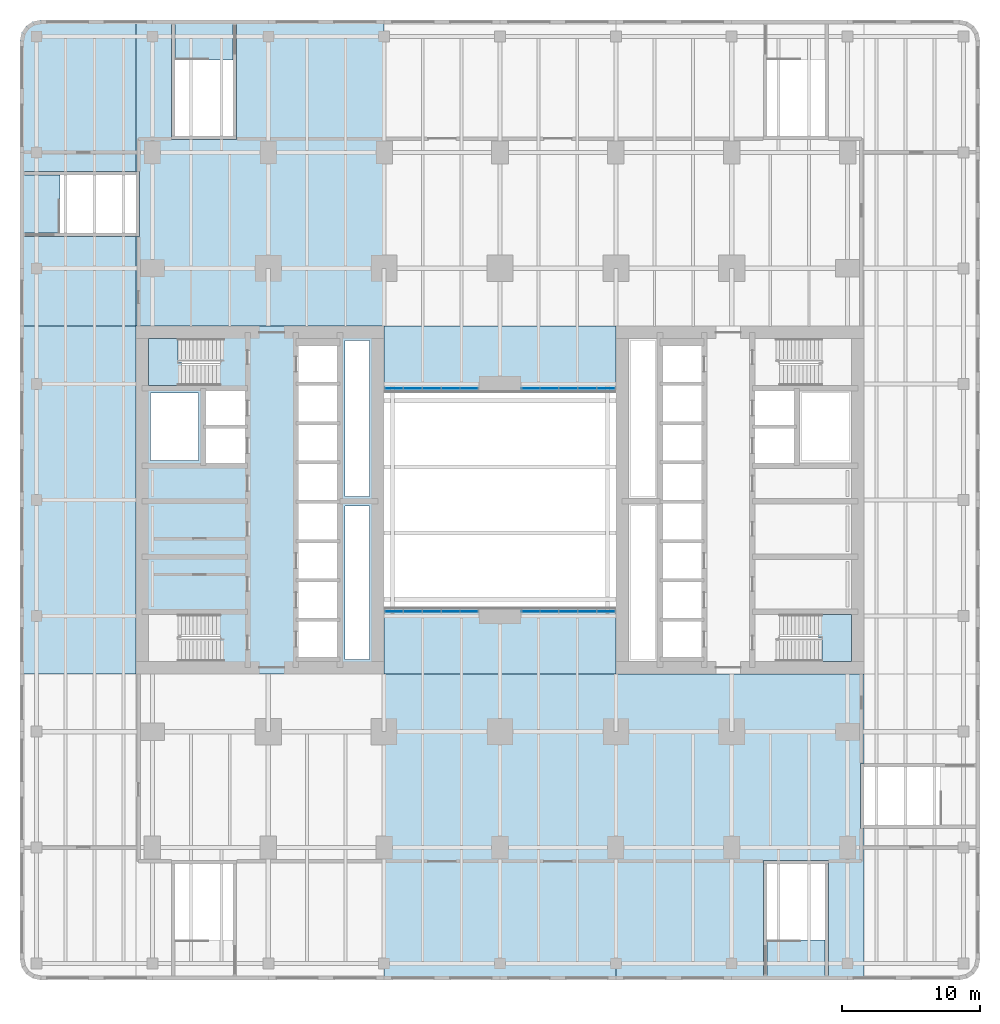
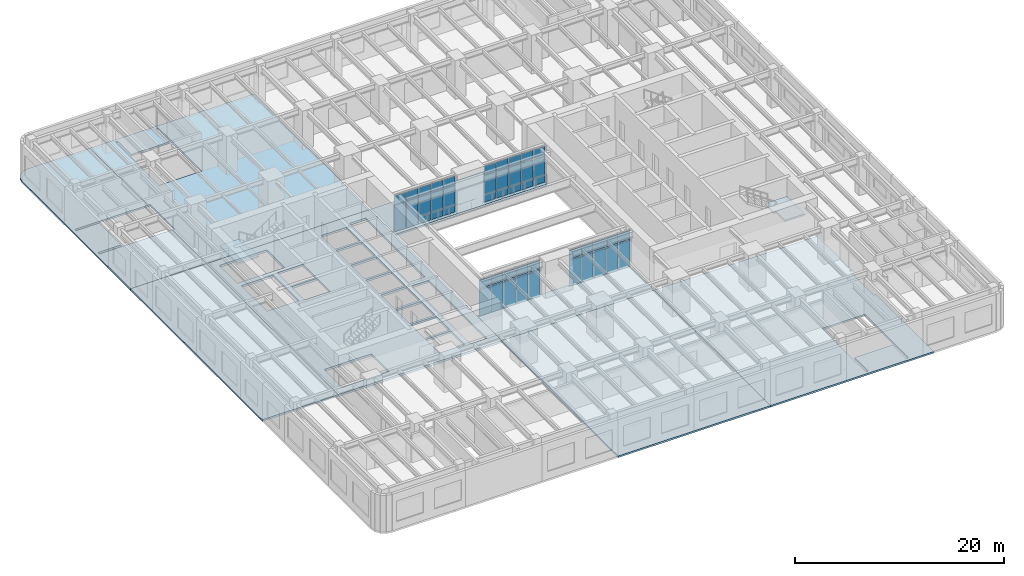
# One storey, part 7 of 22: 40 plates, 10 slabs, 6 elements without a shape of their own.
"""IFC4 building model written with IfcOpenShell, lengths in metres."""

from ifc_helpers import new_model, si_unit, direction, frame, origin, origin_2d, place, context, subcontext, project, spatial, polyline, rectangle, outline, extrude, material, layer, layer_set, type_object, element, aggregate, save


model = new_model("IFC4")

# Units and contexts
model_context = context("Model", 3, precision=1e-05, world=origin(), true_north=direction((0.0, 1.0)))
body_context = subcontext(model_context, "Body", "Model", "MODEL_VIEW")
ifc_project = project(units=[si_unit("LENGTHUNIT", "METRE"), si_unit("AREAUNIT", "SQUARE_METRE"), si_unit("VOLUMEUNIT", "CUBIC_METRE"), si_unit("PLANEANGLEUNIT", "RADIAN"), si_unit("MASSUNIT", "GRAM", prefix="KILO")], contexts=[model_context])

# Site, building, storey
site_placement = place(None, origin())
site = spatial("IfcSite", under=ifc_project, at=site_placement, CompositionType="ELEMENT")
building_placement = place(site_placement, origin())
building = spatial("IfcBuilding", under=site, at=building_placement, Name="Claustro Exchange Tower", CompositionType="ELEMENT")
storey_placement = place(building_placement, frame((0.0, 0.0, 14.39990234375)))
storey = spatial("IfcBuildingStorey", under=building, at=storey_placement, Name="L03", CompositionType="ELEMENT", Elevation=14.39990234375)

# Curtain wall, plates
ifc_material_1 = material(Name="Aluminium frame, clear double glazing", Category="aluminium")
curtain_wall_type = type_object("IfcCurtainWallType", Name="CW6 sky lobby and conference curtain wall", PredefinedType="USERDEFINED", material=ifc_material_1)
curtain_wall_1_placement = place(storey_placement, origin())
curtain_wall_1 = element("IfcCurtainWall", 1, at=curtain_wall_1_placement, inside=storey, type_object=curtain_wall_type, Name="Curtain wall CW6 L03", ObjectType="STICK CURTAIN WALL", PredefinedType="USERDEFINED")
ifc_material_2 = material(Name="Clear double glazing", Category="glass")
ifc_layer_1 = layer(ifc_material_2, 0.033935546875)
ifc_layer_set_1 = layer_set([ifc_layer_1], Name="Clear double glazing")
plate_type = type_object("IfcPlateType", Name="CW6-P 34 glazed panel", PredefinedType="CURTAIN_PANEL", material=ifc_layer_set_1)
plate_1_placement = place(storey_placement, frame((17.5048828125, 17.10009765625, 0.0703125), z_axis=(0.0, 0.0, 1.0), x_axis=(1.0, 0.0, 0.0)))
plate_1 = element("IfcPlate", 2, at=plate_1_placement, type_object=plate_type, Name="CW6 panel 1.1", PredefinedType="CURTAIN_PANEL", context=body_context, shape_type="SweptSolid", body=[
    extrude(rectangle(XDim=1.27001953125, YDim=0.033935546875, at=origin_2d()), origin(), (0.0, 0.0, 1.0), 3.094970703125),
])
plate_2_placement = place(storey_placement, frame((17.5048828125, 17.10009765625, 3.2353515625), z_axis=(0.0, 0.0, 1.0), x_axis=(1.0, 0.0, 0.0)))
plate_2 = element("IfcPlate", 3, at=plate_2_placement, type_object=plate_type, Name="CW6 panel 1.2", PredefinedType="CURTAIN_PANEL", context=body_context, shape_type="SweptSolid", body=[
    extrude(rectangle(XDim=1.27001953125, YDim=0.033935546875, at=origin_2d()), origin(), (0.0, 0.0, 1.0), 1.034912109375),
])
plate_3_placement = place(storey_placement, frame((18.862548828125, 17.10009765625, 0.0703125), z_axis=(0.0, 0.0, 1.0), x_axis=(1.0, 0.0, 0.0)))
plate_3 = element("IfcPlate", 4, at=plate_3_placement, type_object=plate_type, Name="CW6 panel 2.1", PredefinedType="CURTAIN_PANEL", context=body_context, shape_type="SweptSolid", body=[
    extrude(rectangle(XDim=1.304931640625, YDim=0.033935546875, at=origin_2d()), origin(), (0.0, 0.0, 1.0), 3.094970703125),
])
plate_4_placement = place(storey_placement, frame((18.862548828125, 17.10009765625, 3.2353515625), z_axis=(0.0, 0.0, 1.0), x_axis=(1.0, 0.0, 0.0)))
plate_4 = element("IfcPlate", 5, at=plate_4_placement, type_object=plate_type, Name="CW6 panel 2.2", PredefinedType="CURTAIN_PANEL", context=body_context, shape_type="SweptSolid", body=[
    extrude(rectangle(XDim=1.304931640625, YDim=0.033935546875, at=origin_2d()), origin(), (0.0, 0.0, 1.0), 1.034912109375),
])
plate_5_placement = place(storey_placement, frame((20.237548828125, 17.10009765625, 0.0703125), z_axis=(0.0, 0.0, 1.0), x_axis=(1.0, 0.0, 0.0)))
plate_5 = element("IfcPlate", 6, at=plate_5_placement, type_object=plate_type, Name="CW6 panel 3.1", PredefinedType="CURTAIN_PANEL", context=body_context, shape_type="SweptSolid", body=[
    extrude(rectangle(XDim=1.304931640625, YDim=0.033935546875, at=origin_2d()), origin(), (0.0, 0.0, 1.0), 3.094970703125),
])
plate_6_placement = place(storey_placement, frame((20.237548828125, 17.10009765625, 3.2353515625), z_axis=(0.0, 0.0, 1.0), x_axis=(1.0, 0.0, 0.0)))
plate_6 = element("IfcPlate", 7, at=plate_6_placement, type_object=plate_type, Name="CW6 panel 3.2", PredefinedType="CURTAIN_PANEL", context=body_context, shape_type="SweptSolid", body=[
    extrude(rectangle(XDim=1.304931640625, YDim=0.033935546875, at=origin_2d()), origin(), (0.0, 0.0, 1.0), 1.034912109375),
])
plate_7_placement = place(storey_placement, frame((21.612548828125, 17.10009765625, 0.0703125), z_axis=(0.0, 0.0, 1.0), x_axis=(1.0, 0.0, 0.0)))
plate_7 = element("IfcPlate", 8, at=plate_7_placement, type_object=plate_type, Name="CW6 panel 4.1", PredefinedType="CURTAIN_PANEL", context=body_context, shape_type="SweptSolid", body=[
    extrude(rectangle(XDim=1.304931640625, YDim=0.033935546875, at=origin_2d()), origin(), (0.0, 0.0, 1.0), 3.094970703125),
])
plate_8_placement = place(storey_placement, frame((21.612548828125, 17.10009765625, 3.2353515625), z_axis=(0.0, 0.0, 1.0), x_axis=(1.0, 0.0, 0.0)))
plate_8 = element("IfcPlate", 9, at=plate_8_placement, type_object=plate_type, Name="CW6 panel 4.2", PredefinedType="CURTAIN_PANEL", context=body_context, shape_type="SweptSolid", body=[
    extrude(rectangle(XDim=1.304931640625, YDim=0.033935546875, at=origin_2d()), origin(), (0.0, 0.0, 1.0), 1.034912109375),
])
plate_9_placement = place(storey_placement, frame((22.969970703125, 17.10009765625, 0.0703125), z_axis=(0.0, 0.0, 1.0), x_axis=(1.0, 0.0, 0.0)))
plate_9 = element("IfcPlate", 10, at=plate_9_placement, type_object=plate_type, Name="CW6 panel 5.1", PredefinedType="CURTAIN_PANEL", context=body_context, shape_type="SweptSolid", body=[
    extrude(rectangle(XDim=1.27001953125, YDim=0.033935546875, at=origin_2d()), origin(), (0.0, 0.0, 1.0), 3.094970703125),
])
plate_10_placement = place(storey_placement, frame((22.969970703125, 17.10009765625, 3.2353515625), z_axis=(0.0, 0.0, 1.0), x_axis=(1.0, 0.0, 0.0)))
plate_10 = element("IfcPlate", 11, at=plate_10_placement, type_object=plate_type, Name="CW6 panel 5.2", PredefinedType="CURTAIN_PANEL", context=body_context, shape_type="SweptSolid", body=[
    extrude(rectangle(XDim=1.27001953125, YDim=0.033935546875, at=origin_2d()), origin(), (0.0, 0.0, 1.0), 1.034912109375),
])
aggregate(curtain_wall_1, [plate_1, plate_2, plate_3, plate_4, plate_5, plate_6, plate_7, plate_8, plate_9, plate_10])

curtain_wall_2_placement = place(storey_placement, origin())
curtain_wall_2 = element("IfcCurtainWall", 12, at=curtain_wall_2_placement, inside=storey, type_object=curtain_wall_type, Name="Curtain wall CW6 L03", ObjectType="STICK CURTAIN WALL", PredefinedType="USERDEFINED")
plate_11_placement = place(storey_placement, frame((27.429931640625, 17.10009765625, 0.0703125), z_axis=(0.0, 0.0, 1.0), x_axis=(1.0, 0.0, 0.0)))
plate_11 = element("IfcPlate", 13, at=plate_11_placement, type_object=plate_type, Name="CW6 panel 1.1", PredefinedType="CURTAIN_PANEL", context=body_context, shape_type="SweptSolid", body=[
    extrude(rectangle(XDim=1.27001953125, YDim=0.033935546875, at=origin_2d()), origin(), (0.0, 0.0, 1.0), 3.094970703125),
])
plate_12_placement = place(storey_placement, frame((27.429931640625, 17.10009765625, 3.2353515625), z_axis=(0.0, 0.0, 1.0), x_axis=(1.0, 0.0, 0.0)))
plate_12 = element("IfcPlate", 14, at=plate_12_placement, type_object=plate_type, Name="CW6 panel 1.2", PredefinedType="CURTAIN_PANEL", context=body_context, shape_type="SweptSolid", body=[
    extrude(rectangle(XDim=1.27001953125, YDim=0.033935546875, at=origin_2d()), origin(), (0.0, 0.0, 1.0), 1.034912109375),
])
plate_13_placement = place(storey_placement, frame((28.78759765625, 17.10009765625, 0.0703125), z_axis=(0.0, 0.0, 1.0), x_axis=(1.0, 0.0, 0.0)))
plate_13 = element("IfcPlate", 15, at=plate_13_placement, type_object=plate_type, Name="CW6 panel 2.1", PredefinedType="CURTAIN_PANEL", context=body_context, shape_type="SweptSolid", body=[
    extrude(rectangle(XDim=1.304931640625, YDim=0.033935546875, at=origin_2d()), origin(), (0.0, 0.0, 1.0), 3.094970703125),
])
plate_14_placement = place(storey_placement, frame((28.78759765625, 17.10009765625, 3.2353515625), z_axis=(0.0, 0.0, 1.0), x_axis=(1.0, 0.0, 0.0)))
plate_14 = element("IfcPlate", 16, at=plate_14_placement, type_object=plate_type, Name="CW6 panel 2.2", PredefinedType="CURTAIN_PANEL", context=body_context, shape_type="SweptSolid", body=[
    extrude(rectangle(XDim=1.304931640625, YDim=0.033935546875, at=origin_2d()), origin(), (0.0, 0.0, 1.0), 1.034912109375),
])
plate_15_placement = place(storey_placement, frame((30.16259765625, 17.10009765625, 0.0703125), z_axis=(0.0, 0.0, 1.0), x_axis=(1.0, 0.0, 0.0)))
plate_15 = element("IfcPlate", 17, at=plate_15_placement, type_object=plate_type, Name="CW6 panel 3.1", PredefinedType="CURTAIN_PANEL", context=body_context, shape_type="SweptSolid", body=[
    extrude(rectangle(XDim=1.304931640625, YDim=0.033935546875, at=origin_2d()), origin(), (0.0, 0.0, 1.0), 3.094970703125),
])
plate_16_placement = place(storey_placement, frame((30.16259765625, 17.10009765625, 3.2353515625), z_axis=(0.0, 0.0, 1.0), x_axis=(1.0, 0.0, 0.0)))
plate_16 = element("IfcPlate", 18, at=plate_16_placement, type_object=plate_type, Name="CW6 panel 3.2", PredefinedType="CURTAIN_PANEL", context=body_context, shape_type="SweptSolid", body=[
    extrude(rectangle(XDim=1.304931640625, YDim=0.033935546875, at=origin_2d()), origin(), (0.0, 0.0, 1.0), 1.034912109375),
])
plate_17_placement = place(storey_placement, frame((31.53759765625, 17.10009765625, 0.0703125), z_axis=(0.0, 0.0, 1.0), x_axis=(1.0, 0.0, 0.0)))
plate_17 = element("IfcPlate", 19, at=plate_17_placement, type_object=plate_type, Name="CW6 panel 4.1", PredefinedType="CURTAIN_PANEL", context=body_context, shape_type="SweptSolid", body=[
    extrude(rectangle(XDim=1.304931640625, YDim=0.033935546875, at=origin_2d()), origin(), (0.0, 0.0, 1.0), 3.094970703125),
])
plate_18_placement = place(storey_placement, frame((31.53759765625, 17.10009765625, 3.2353515625), z_axis=(0.0, 0.0, 1.0), x_axis=(1.0, 0.0, 0.0)))
plate_18 = element("IfcPlate", 20, at=plate_18_placement, type_object=plate_type, Name="CW6 panel 4.2", PredefinedType="CURTAIN_PANEL", context=body_context, shape_type="SweptSolid", body=[
    extrude(rectangle(XDim=1.304931640625, YDim=0.033935546875, at=origin_2d()), origin(), (0.0, 0.0, 1.0), 1.034912109375),
])
plate_19_placement = place(storey_placement, frame((32.89501953125, 17.10009765625, 0.0703125), z_axis=(0.0, 0.0, 1.0), x_axis=(1.0, 0.0, 0.0)))
plate_19 = element("IfcPlate", 21, at=plate_19_placement, type_object=plate_type, Name="CW6 panel 5.1", PredefinedType="CURTAIN_PANEL", context=body_context, shape_type="SweptSolid", body=[
    extrude(rectangle(XDim=1.27001953125, YDim=0.033935546875, at=origin_2d()), origin(), (0.0, 0.0, 1.0), 3.094970703125),
])
plate_20_placement = place(storey_placement, frame((32.89501953125, 17.10009765625, 3.2353515625), z_axis=(0.0, 0.0, 1.0), x_axis=(1.0, 0.0, 0.0)))
plate_20 = element("IfcPlate", 22, at=plate_20_placement, type_object=plate_type, Name="CW6 panel 5.2", PredefinedType="CURTAIN_PANEL", context=body_context, shape_type="SweptSolid", body=[
    extrude(rectangle(XDim=1.27001953125, YDim=0.033935546875, at=origin_2d()), origin(), (0.0, 0.0, 1.0), 1.034912109375),
])
aggregate(curtain_wall_2, [plate_11, plate_12, plate_13, plate_14, plate_15, plate_16, plate_17, plate_18, plate_19, plate_20])

curtain_wall_3_placement = place(storey_placement, origin())
curtain_wall_3 = element("IfcCurtainWall", 23, at=curtain_wall_3_placement, inside=storey, type_object=curtain_wall_type, Name="Curtain wall CW6 L03", ObjectType="STICK CURTAIN WALL", PredefinedType="USERDEFINED")
plate_21_placement = place(storey_placement, frame((17.5048828125, 33.300048828125, 0.0703125), z_axis=(0.0, 0.0, 1.0), x_axis=(1.0, 0.0, 0.0)))
plate_21 = element("IfcPlate", 24, at=plate_21_placement, type_object=plate_type, Name="CW6 panel 1.1", PredefinedType="CURTAIN_PANEL", context=body_context, shape_type="SweptSolid", body=[
    extrude(rectangle(XDim=1.27001953125, YDim=0.033935546875, at=origin_2d()), origin(), (0.0, 0.0, 1.0), 3.094970703125),
])
plate_22_placement = place(storey_placement, frame((17.5048828125, 33.300048828125, 3.2353515625), z_axis=(0.0, 0.0, 1.0), x_axis=(1.0, 0.0, 0.0)))
plate_22 = element("IfcPlate", 25, at=plate_22_placement, type_object=plate_type, Name="CW6 panel 1.2", PredefinedType="CURTAIN_PANEL", context=body_context, shape_type="SweptSolid", body=[
    extrude(rectangle(XDim=1.27001953125, YDim=0.033935546875, at=origin_2d()), origin(), (0.0, 0.0, 1.0), 1.034912109375),
])
plate_23_placement = place(storey_placement, frame((18.862548828125, 33.300048828125, 0.0703125), z_axis=(0.0, 0.0, 1.0), x_axis=(1.0, 0.0, 0.0)))
plate_23 = element("IfcPlate", 26, at=plate_23_placement, type_object=plate_type, Name="CW6 panel 2.1", PredefinedType="CURTAIN_PANEL", context=body_context, shape_type="SweptSolid", body=[
    extrude(rectangle(XDim=1.304931640625, YDim=0.033935546875, at=origin_2d()), origin(), (0.0, 0.0, 1.0), 3.094970703125),
])
plate_24_placement = place(storey_placement, frame((18.862548828125, 33.300048828125, 3.2353515625), z_axis=(0.0, 0.0, 1.0), x_axis=(1.0, 0.0, 0.0)))
plate_24 = element("IfcPlate", 27, at=plate_24_placement, type_object=plate_type, Name="CW6 panel 2.2", PredefinedType="CURTAIN_PANEL", context=body_context, shape_type="SweptSolid", body=[
    extrude(rectangle(XDim=1.304931640625, YDim=0.033935546875, at=origin_2d()), origin(), (0.0, 0.0, 1.0), 1.034912109375),
])
plate_25_placement = place(storey_placement, frame((20.237548828125, 33.300048828125, 0.0703125), z_axis=(0.0, 0.0, 1.0), x_axis=(1.0, 0.0, 0.0)))
plate_25 = element("IfcPlate", 28, at=plate_25_placement, type_object=plate_type, Name="CW6 panel 3.1", PredefinedType="CURTAIN_PANEL", context=body_context, shape_type="SweptSolid", body=[
    extrude(rectangle(XDim=1.304931640625, YDim=0.033935546875, at=origin_2d()), origin(), (0.0, 0.0, 1.0), 3.094970703125),
])
plate_26_placement = place(storey_placement, frame((20.237548828125, 33.300048828125, 3.2353515625), z_axis=(0.0, 0.0, 1.0), x_axis=(1.0, 0.0, 0.0)))
plate_26 = element("IfcPlate", 29, at=plate_26_placement, type_object=plate_type, Name="CW6 panel 3.2", PredefinedType="CURTAIN_PANEL", context=body_context, shape_type="SweptSolid", body=[
    extrude(rectangle(XDim=1.304931640625, YDim=0.033935546875, at=origin_2d()), origin(), (0.0, 0.0, 1.0), 1.034912109375),
])
plate_27_placement = place(storey_placement, frame((21.612548828125, 33.300048828125, 0.0703125), z_axis=(0.0, 0.0, 1.0), x_axis=(1.0, 0.0, 0.0)))
plate_27 = element("IfcPlate", 30, at=plate_27_placement, type_object=plate_type, Name="CW6 panel 4.1", PredefinedType="CURTAIN_PANEL", context=body_context, shape_type="SweptSolid", body=[
    extrude(rectangle(XDim=1.304931640625, YDim=0.033935546875, at=origin_2d()), origin(), (0.0, 0.0, 1.0), 3.094970703125),
])
plate_28_placement = place(storey_placement, frame((21.612548828125, 33.300048828125, 3.2353515625), z_axis=(0.0, 0.0, 1.0), x_axis=(1.0, 0.0, 0.0)))
plate_28 = element("IfcPlate", 31, at=plate_28_placement, type_object=plate_type, Name="CW6 panel 4.2", PredefinedType="CURTAIN_PANEL", context=body_context, shape_type="SweptSolid", body=[
    extrude(rectangle(XDim=1.304931640625, YDim=0.033935546875, at=origin_2d()), origin(), (0.0, 0.0, 1.0), 1.034912109375),
])
plate_29_placement = place(storey_placement, frame((22.969970703125, 33.300048828125, 0.0703125), z_axis=(0.0, 0.0, 1.0), x_axis=(1.0, 0.0, 0.0)))
plate_29 = element("IfcPlate", 32, at=plate_29_placement, type_object=plate_type, Name="CW6 panel 5.1", PredefinedType="CURTAIN_PANEL", context=body_context, shape_type="SweptSolid", body=[
    extrude(rectangle(XDim=1.27001953125, YDim=0.033935546875, at=origin_2d()), origin(), (0.0, 0.0, 1.0), 3.094970703125),
])
plate_30_placement = place(storey_placement, frame((22.969970703125, 33.300048828125, 3.2353515625), z_axis=(0.0, 0.0, 1.0), x_axis=(1.0, 0.0, 0.0)))
plate_30 = element("IfcPlate", 33, at=plate_30_placement, type_object=plate_type, Name="CW6 panel 5.2", PredefinedType="CURTAIN_PANEL", context=body_context, shape_type="SweptSolid", body=[
    extrude(rectangle(XDim=1.27001953125, YDim=0.033935546875, at=origin_2d()), origin(), (0.0, 0.0, 1.0), 1.034912109375),
])
aggregate(curtain_wall_3, [plate_21, plate_22, plate_23, plate_24, plate_25, plate_26, plate_27, plate_28, plate_29, plate_30])

curtain_wall_4_placement = place(storey_placement, origin())
curtain_wall_4 = element("IfcCurtainWall", 34, at=curtain_wall_4_placement, inside=storey, type_object=curtain_wall_type, Name="Curtain wall CW6 L03", ObjectType="STICK CURTAIN WALL", PredefinedType="USERDEFINED")
plate_31_placement = place(storey_placement, frame((27.429931640625, 33.300048828125, 0.0703125), z_axis=(0.0, 0.0, 1.0), x_axis=(1.0, 0.0, 0.0)))
plate_31 = element("IfcPlate", 35, at=plate_31_placement, type_object=plate_type, Name="CW6 panel 1.1", PredefinedType="CURTAIN_PANEL", context=body_context, shape_type="SweptSolid", body=[
    extrude(rectangle(XDim=1.27001953125, YDim=0.033935546875, at=origin_2d()), origin(), (0.0, 0.0, 1.0), 3.094970703125),
])
plate_32_placement = place(storey_placement, frame((27.429931640625, 33.300048828125, 3.2353515625), z_axis=(0.0, 0.0, 1.0), x_axis=(1.0, 0.0, 0.0)))
plate_32 = element("IfcPlate", 36, at=plate_32_placement, type_object=plate_type, Name="CW6 panel 1.2", PredefinedType="CURTAIN_PANEL", context=body_context, shape_type="SweptSolid", body=[
    extrude(rectangle(XDim=1.27001953125, YDim=0.033935546875, at=origin_2d()), origin(), (0.0, 0.0, 1.0), 1.034912109375),
])
plate_33_placement = place(storey_placement, frame((28.78759765625, 33.300048828125, 0.0703125), z_axis=(0.0, 0.0, 1.0), x_axis=(1.0, 0.0, 0.0)))
plate_33 = element("IfcPlate", 37, at=plate_33_placement, type_object=plate_type, Name="CW6 panel 2.1", PredefinedType="CURTAIN_PANEL", context=body_context, shape_type="SweptSolid", body=[
    extrude(rectangle(XDim=1.304931640625, YDim=0.033935546875, at=origin_2d()), origin(), (0.0, 0.0, 1.0), 3.094970703125),
])
plate_34_placement = place(storey_placement, frame((28.78759765625, 33.300048828125, 3.2353515625), z_axis=(0.0, 0.0, 1.0), x_axis=(1.0, 0.0, 0.0)))
plate_34 = element("IfcPlate", 38, at=plate_34_placement, type_object=plate_type, Name="CW6 panel 2.2", PredefinedType="CURTAIN_PANEL", context=body_context, shape_type="SweptSolid", body=[
    extrude(rectangle(XDim=1.304931640625, YDim=0.033935546875, at=origin_2d()), origin(), (0.0, 0.0, 1.0), 1.034912109375),
])
plate_35_placement = place(storey_placement, frame((30.16259765625, 33.300048828125, 0.0703125), z_axis=(0.0, 0.0, 1.0), x_axis=(1.0, 0.0, 0.0)))
plate_35 = element("IfcPlate", 39, at=plate_35_placement, type_object=plate_type, Name="CW6 panel 3.1", PredefinedType="CURTAIN_PANEL", context=body_context, shape_type="SweptSolid", body=[
    extrude(rectangle(XDim=1.304931640625, YDim=0.033935546875, at=origin_2d()), origin(), (0.0, 0.0, 1.0), 3.094970703125),
])
plate_36_placement = place(storey_placement, frame((30.16259765625, 33.300048828125, 3.2353515625), z_axis=(0.0, 0.0, 1.0), x_axis=(1.0, 0.0, 0.0)))
plate_36 = element("IfcPlate", 40, at=plate_36_placement, type_object=plate_type, Name="CW6 panel 3.2", PredefinedType="CURTAIN_PANEL", context=body_context, shape_type="SweptSolid", body=[
    extrude(rectangle(XDim=1.304931640625, YDim=0.033935546875, at=origin_2d()), origin(), (0.0, 0.0, 1.0), 1.034912109375),
])
plate_37_placement = place(storey_placement, frame((31.53759765625, 33.300048828125, 0.0703125), z_axis=(0.0, 0.0, 1.0), x_axis=(1.0, 0.0, 0.0)))
plate_37 = element("IfcPlate", 41, at=plate_37_placement, type_object=plate_type, Name="CW6 panel 4.1", PredefinedType="CURTAIN_PANEL", context=body_context, shape_type="SweptSolid", body=[
    extrude(rectangle(XDim=1.304931640625, YDim=0.033935546875, at=origin_2d()), origin(), (0.0, 0.0, 1.0), 3.094970703125),
])
plate_38_placement = place(storey_placement, frame((31.53759765625, 33.300048828125, 3.2353515625), z_axis=(0.0, 0.0, 1.0), x_axis=(1.0, 0.0, 0.0)))
plate_38 = element("IfcPlate", 42, at=plate_38_placement, type_object=plate_type, Name="CW6 panel 4.2", PredefinedType="CURTAIN_PANEL", context=body_context, shape_type="SweptSolid", body=[
    extrude(rectangle(XDim=1.304931640625, YDim=0.033935546875, at=origin_2d()), origin(), (0.0, 0.0, 1.0), 1.034912109375),
])
plate_39_placement = place(storey_placement, frame((32.89501953125, 33.300048828125, 0.0703125), z_axis=(0.0, 0.0, 1.0), x_axis=(1.0, 0.0, 0.0)))
plate_39 = element("IfcPlate", 43, at=plate_39_placement, type_object=plate_type, Name="CW6 panel 5.1", PredefinedType="CURTAIN_PANEL", context=body_context, shape_type="SweptSolid", body=[
    extrude(rectangle(XDim=1.27001953125, YDim=0.033935546875, at=origin_2d()), origin(), (0.0, 0.0, 1.0), 3.094970703125),
])
plate_40_placement = place(storey_placement, frame((32.89501953125, 33.300048828125, 3.2353515625), z_axis=(0.0, 0.0, 1.0), x_axis=(1.0, 0.0, 0.0)))
plate_40 = element("IfcPlate", 44, at=plate_40_placement, type_object=plate_type, Name="CW6 panel 5.2", PredefinedType="CURTAIN_PANEL", context=body_context, shape_type="SweptSolid", body=[
    extrude(rectangle(XDim=1.27001953125, YDim=0.033935546875, at=origin_2d()), origin(), (0.0, 0.0, 1.0), 1.034912109375),
])
aggregate(curtain_wall_4, [plate_31, plate_32, plate_33, plate_34, plate_35, plate_36, plate_37, plate_38, plate_39, plate_40])

# Slabs
ifc_material_3 = material(Name="Concrete HA-50 (C50/60)", Category="concrete")
ifc_layer_2 = layer(ifc_material_3, 0.199951171875)
ifc_layer_set_2 = layer_set([ifc_layer_2], Name="Concrete HA-50 (C50/60)")
slab_type_1 = type_object("IfcSlabType", Name="S3 200 plant floor slab", PredefinedType="FLOOR", material=ifc_layer_set_2)
slab_1_placement = place(storey_placement, frame((0.0, 0.0, -0.199951171875)))
element("IfcSlab", 45, at=slab_1_placement, inside=storey, type_object=slab_type_1, Name="Floor slab S3 S L03", PredefinedType="FLOOR", context=body_context, shape_type="SweptSolid", body=[
    extrude(outline(polyline([(16.800048828125, -9.60009765625), (33.60009765625, -9.60009765625), (33.60009765625, 12.60009765625), (16.800048828125, 12.60009765625), (16.800048828125, -9.60009765625)])), origin(), (0.0, 0.0, 1.0), 0.199951171875),
])
slab_2_placement = place(storey_placement, frame((0.0, 0.0, -0.199951171875)))
element("IfcSlab", 46, at=slab_2_placement, inside=storey, type_object=slab_type_1, Name="Floor slab S3 S L03", PredefinedType="FLOOR", context=body_context, shape_type="SweptSolid", body=[
    extrude(outline(polyline([(33.60009765625, -9.60009765625), (51.60009765625, -9.60009765625), (51.60009765625, 1.39990234375), (51.35009765625, 1.39990234375), (51.35009765625, 6.10009765625), (51.60009765625, 6.10009765625), (51.60009765625, 12.60009765625), (33.60009765625, 12.60009765625), (33.60009765625, -9.60009765625)]), holes=[polyline([(46.64990234375, -6.699951171875), (44.550048828125, -6.699951171875), (44.550048828125, -9.280029296875), (44.300048828125, -9.280029296875), (44.300048828125, -1.199951171875), (44.300048828125, -0.949951171875), (49.0, -0.949951171875), (49.0, -1.199951171875), (49.0, -9.280029296875), (48.75, -9.280029296875), (48.75, -6.695068359375), (46.64990234375, -6.695068359375), (46.64990234375, -6.699951171875)])]), origin(), (0.0, 0.0, 1.0), 0.199951171875),
])
slab_3_placement = place(storey_placement, frame((0.0, 0.0, -0.199951171875)))
element("IfcSlab", 47, at=slab_3_placement, inside=storey, type_object=slab_type_1, Name="Floor slab S3 E L03", PredefinedType="FLOOR", context=body_context, shape_type="SweptSolid", body=[
    extrude(outline(polyline([(16.800048828125, 17.39990234375), (16.800048828125, 12.60009765625), (33.60009765625, 12.60009765625), (33.60009765625, 17.39990234375), (16.800048828125, 17.39990234375)])), origin(), (0.0, 0.0, 1.0), 0.199951171875),
])
slab_4_placement = place(storey_placement, frame((0.0, 0.0, -0.199951171875)))
element("IfcSlab", 48, at=slab_4_placement, inside=storey, type_object=slab_type_1, Name="Floor slab S3 W L03", PredefinedType="FLOOR", context=body_context, shape_type="SweptSolid", body=[
    extrude(outline(polyline([(-9.60009765625, 37.800048828125), (-9.60009765625, 12.60009765625), (-1.199951171875, 12.60009765625), (-1.199951171875, 37.800048828125), (-9.60009765625, 37.800048828125)])), origin(), (0.0, 0.0, 1.0), 0.199951171875),
])
slab_5_placement = place(storey_placement, frame((0.0, 0.0, -0.199951171875)))
element("IfcSlab", 49, at=slab_5_placement, inside=storey, type_object=slab_type_1, Name="Floor slab S3 E L03", PredefinedType="FLOOR", context=body_context, shape_type="SweptSolid", body=[
    extrude(outline(polyline([(33.60009765625, 33.0), (33.60009765625, 37.800048828125), (16.800048828125, 37.800048828125), (16.800048828125, 33.0), (33.60009765625, 33.0)])), origin(), (0.0, 0.0, 1.0), 0.199951171875),
])
slab_6_placement = place(storey_placement, frame((0.0, 0.0, -0.199951171875)))
element("IfcSlab", 50, at=slab_6_placement, inside=storey, type_object=slab_type_1, Name="Floor slab S3 N L03", PredefinedType="FLOOR", context=body_context, shape_type="SweptSolid", body=[
    extrude(outline(polyline([(16.800048828125, 60.0), (-1.199951171875, 60.0), (-1.199951171875, 49.0), (-0.949951171875, 49.0), (-0.949951171875, 44.300048828125), (-1.199951171875, 44.300048828125), (-1.199951171875, 37.800048828125), (16.800048828125, 37.800048828125), (16.800048828125, 60.0)]), holes=[polyline([(5.85009765625, 59.679931640625), (6.10009765625, 59.679931640625), (6.10009765625, 51.60009765625), (6.10009765625, 51.35009765625), (1.39990234375, 51.35009765625), (1.39990234375, 51.60009765625), (1.39990234375, 59.679931640625), (1.64990234375, 59.679931640625), (1.64990234375, 57.10009765625), (3.75, 57.10009765625), (3.75, 57.094970703125), (5.85009765625, 57.094970703125), (5.85009765625, 59.679931640625)])]), origin(), (0.0, 0.0, 1.0), 0.199951171875),
])
slab_7_placement = place(storey_placement, frame((0.0, 0.0, -0.199951171875)))
element("IfcSlab", 51, at=slab_7_placement, inside=storey, type_object=slab_type_1, Name="Floor slab S3 N L03", PredefinedType="FLOOR", context=body_context, shape_type="SweptSolid", body=[
    extrude(outline(polyline([(-8.674072265625, 59.8857421875), (-9.16064453125, 59.560791015625), (-9.48583984375, 59.073974609375), (-9.60009765625, 58.5), (-9.60009765625, 37.800048828125), (-1.199951171875, 37.800048828125), (-1.199951171875, 44.300048828125), (-9.280029296875, 44.300048828125), (-9.280029296875, 44.550048828125), (-6.699951171875, 44.550048828125), (-6.699951171875, 46.64990234375), (-6.695068359375, 46.64990234375), (-6.695068359375, 48.75), (-9.280029296875, 48.75), (-9.280029296875, 49.0), (-1.199951171875, 49.0), (-1.199951171875, 60.0), (-8.10009765625, 60.0), (-8.674072265625, 59.8857421875)])), origin(), (0.0, 0.0, 1.0), 0.199951171875),
])
ifc_material_4 = material(Name="Concrete HA-50 (C50/60)", Category="concrete")
ifc_layer_3 = layer(ifc_material_4, 0.25)
ifc_layer_set_3 = layer_set([ifc_layer_3], Name="Concrete HA-50 (C50/60)")
slab_type_2 = type_object("IfcSlabType", Name="S7 250 core floor slab", PredefinedType="FLOOR", material=ifc_layer_set_3)
slab_8_placement = place(storey_placement, frame((0.0, 0.0, -0.25)))
element("IfcSlab", 52, at=slab_8_placement, inside=storey, type_object=slab_type_2, Name="Core floor slab S7 W core L03", PredefinedType="FLOOR", context=body_context, shape_type="SweptSolid", body=[
    extrude(outline(polyline([(-1.199951171875, 12.60009765625), (16.800048828125, 12.60009765625), (16.800048828125, 37.800048828125), (-1.199951171875, 37.800048828125), (-1.199951171875, 12.60009765625)]), holes=[polyline([(15.75, 24.75), (15.75, 13.64990234375), (13.949951171875, 13.64990234375), (13.949951171875, 24.75), (15.75, 24.75)]), polyline([(15.75, 36.75), (15.75, 25.449951171875), (13.949951171875, 25.449951171875), (13.949951171875, 36.75), (15.75, 36.75)]), polyline([(10.60009765625, 16.39990234375), (13.39990234375, 16.39990234375), (13.39990234375, 13.800048828125), (10.60009765625, 13.800048828125), (10.60009765625, 16.39990234375)]), polyline([(13.39990234375, 19.25), (13.39990234375, 16.64990234375), (10.60009765625, 16.64990234375), (10.60009765625, 19.25), (13.39990234375, 19.25)]), polyline([(13.39990234375, 22.10009765625), (13.39990234375, 19.5), (10.60009765625, 19.5), (10.60009765625, 22.10009765625), (13.39990234375, 22.10009765625)]), polyline([(13.39990234375, 24.949951171875), (13.39990234375, 22.35009765625), (10.60009765625, 22.35009765625), (10.60009765625, 24.949951171875), (13.39990234375, 24.949951171875)]), polyline([(13.39990234375, 27.800048828125), (13.39990234375, 25.199951171875), (10.60009765625, 25.199951171875), (10.60009765625, 27.800048828125), (13.39990234375, 27.800048828125)]), polyline([(13.39990234375, 30.64990234375), (13.39990234375, 28.050048828125), (10.60009765625, 28.050048828125), (10.60009765625, 30.64990234375), (13.39990234375, 30.64990234375)]), polyline([(13.39990234375, 33.5), (13.39990234375, 30.89990234375), (10.60009765625, 30.89990234375), (10.60009765625, 33.5), (13.39990234375, 33.5)]), polyline([(13.39990234375, 36.35009765625), (13.39990234375, 33.75), (10.60009765625, 33.75), (10.60009765625, 36.35009765625), (13.39990234375, 36.35009765625)]), polyline([(6.699951171875, 30.375), (6.699951171875, 27.89990234375), (3.89990234375, 27.89990234375), (3.89990234375, 30.375), (6.699951171875, 30.375)]), polyline([(6.699951171875, 33.10009765625), (6.699951171875, 30.625), (3.89990234375, 30.625), (3.89990234375, 33.10009765625), (6.699951171875, 33.10009765625)]), polyline([(-0.300048828125, 15.199951171875), (-0.300048828125, 16.89990234375), (4.9150390625, 16.89990234375), (4.9150390625, 15.199951171875), (4.919921875, 15.199951171875), (4.919921875, 13.5), (-0.300048828125, 13.5), (-0.300048828125, 15.199951171875)]), polyline([(-0.300048828125, 36.89990234375), (4.919921875, 36.89990234375), (4.919921875, 35.199951171875), (4.9150390625, 35.199951171875), (4.9150390625, 33.5), (-0.300048828125, 33.5), (-0.300048828125, 35.199951171875), (-0.300048828125, 36.89990234375)]), polyline([(3.35009765625, 32.949951171875), (3.35009765625, 28.050048828125), (-0.14990234375, 28.050048828125), (-0.14990234375, 32.949951171875), (3.35009765625, 32.949951171875)])]), origin(), (0.0, 0.0, 1.0), 0.25),
])

# Stair, slab
ifc_material_5 = material(Name="Concrete HA-30 (C30/37), precast", Category="concrete")
stair_type = type_object("IfcStairType", Name="ST2 half-turn stair, 25 risers of 180", PredefinedType="HALF_TURN_STAIR", material=ifc_material_5)
stair_1_placement = place(storey_placement, origin())
stair_1 = element("IfcStair", 53, at=stair_1_placement, inside=storey, type_object=stair_type, Name="Stair STWB L03", PredefinedType="HALF_TURN_STAIR")
ifc_material_6 = material(Name="Concrete HA-30 (C30/37), precast", Category="concrete")
ifc_layer_4 = layer(ifc_material_6, 0.199951171875)
ifc_layer_set_4 = layer_set([ifc_layer_4], Name="Concrete HA-30 (C30/37), precast")
slab_type_3 = type_object("IfcSlabType", Name="S9 200 stair landing", PredefinedType="LANDING", material=ifc_layer_set_4)
slab_9_placement = place(storey_placement, frame((0.0, 0.0, 2.14013671875)))
slab_9 = element("IfcSlab", 54, at=slab_9_placement, type_object=slab_type_3, Name="STWB landing 1", PredefinedType="LANDING", context=body_context, shape_type="SweptSolid", body=[
    extrude(outline(polyline([(2.1201171875, 35.199951171875), (2.1201171875, 33.5), (1.844970703125, 33.5), (1.840087890625, 33.5), (-0.300048828125, 33.5), (-0.300048828125, 36.89990234375), (1.844970703125, 36.89990234375), (1.844970703125, 35.199951171875), (2.1201171875, 35.199951171875)])), origin(), (0.0, 0.0, 1.0), 0.199951171875),
])
aggregate(stair_1, [slab_9])

stair_2_placement = place(storey_placement, origin())
stair_2 = element("IfcStair", 55, at=stair_2_placement, inside=storey, type_object=stair_type, Name="Stair STEA L03", PredefinedType="HALF_TURN_STAIR")
slab_10_placement = place(storey_placement, frame((0.0, 0.0, 2.14013671875)))
slab_10 = element("IfcSlab", 56, at=slab_10_placement, type_object=slab_type_3, Name="STEA landing 1", PredefinedType="LANDING", context=body_context, shape_type="SweptSolid", body=[
    extrude(outline(polyline([(50.699951171875, 16.89990234375), (50.699951171875, 13.5), (48.554931640625, 13.5), (48.554931640625, 15.199951171875), (48.280029296875, 15.199951171875), (48.280029296875, 16.89990234375), (48.554931640625, 16.89990234375), (48.56005859375, 16.89990234375), (50.699951171875, 16.89990234375)])), origin(), (0.0, 0.0, 1.0), 0.199951171875),
])
aggregate(stair_2, [slab_10])

save(model, "model.ifc")
